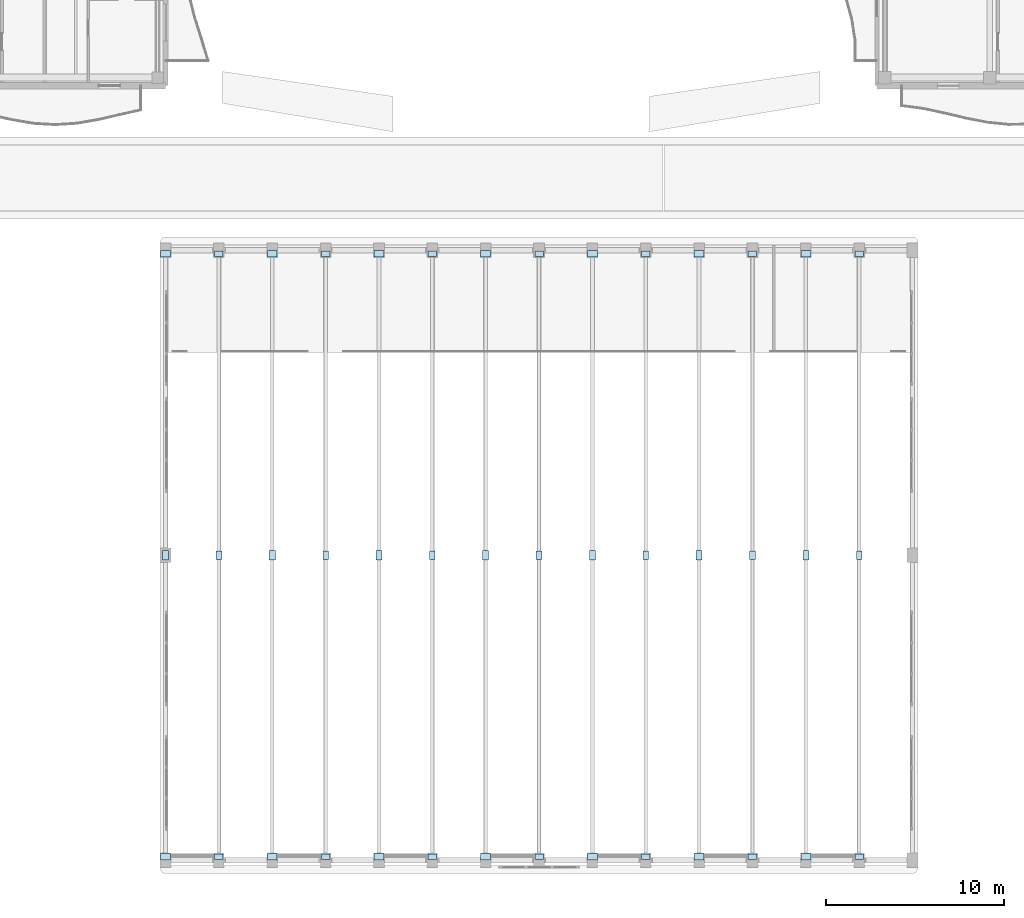
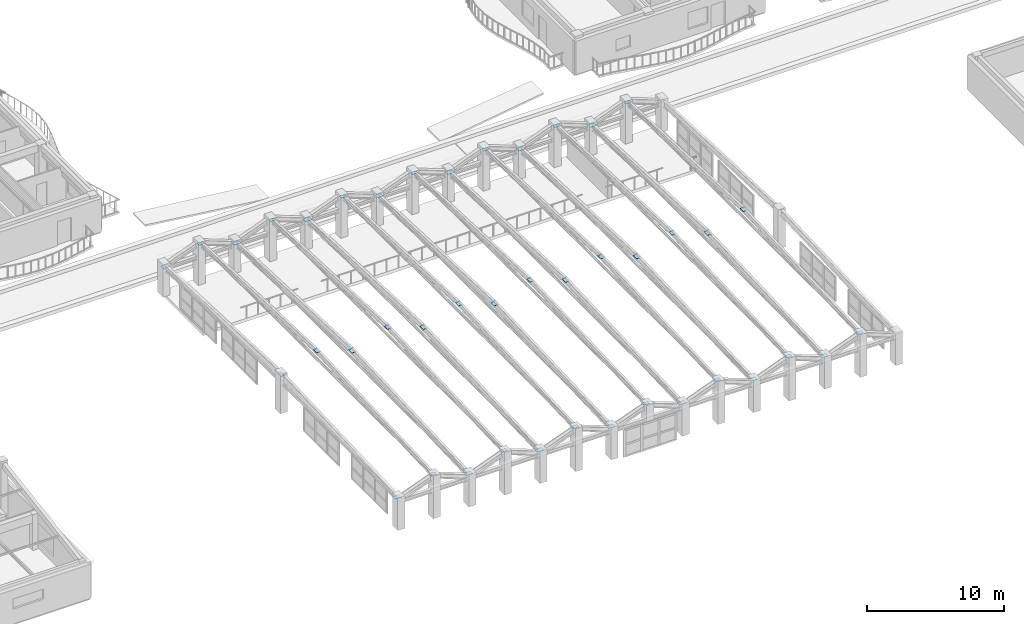
# One storey, part 79 of 128: 42 plates.
"""IFC4 building model written with IfcOpenShell, lengths in metres."""

import ifcopenshell
import ifcopenshell.guid

model = None  # the IFC model being written
_history = None  # IfcOwnerHistory: only IFC2X3 demands one
_inside = {}  # id of a spatial element -> (the spatial element, [elements in it])
_under = {}  # id of a project, library or spatial element -> (it, [spatial elements below it])
_declared = {}  # id of a project -> (the project, [libraries it declares])
_typed = {}  # id of a type object -> (the type object, [elements of that type])
_made_of = {}  # id of a material, layer set ... -> (it, [elements and type objects made of it])


def new_model(schema):
    """Start an empty IFC model of exactly this schema.

    Asked for "IFC4X3", IfcOpenShell would pick the latest addendum, in which some entities
    have other attributes; the version numbers below select the first issue.
    IFC2X3 requires an IfcOwnerHistory on every rooted entity: one is made here for all.
    """
    global model, _history
    if schema == "IFC4X3":
        model = ifcopenshell.file(schema_version=(4, 3, 0, 0))
    else:
        model = ifcopenshell.file(schema=schema)
    _inside.clear()
    _under.clear()
    _declared.clear()
    _typed.clear()
    _made_of.clear()
    _history = None
    if model.schema == "IFC2X3":
        org = make("IfcOrganization", Name="unknown")
        user = make(
            "IfcPersonAndOrganization",
            ThePerson=make("IfcPerson", FamilyName="unknown"),
            TheOrganization=org,
        )
        app = make(
            "IfcApplication",
            ApplicationDeveloper=org,
            Version="unknown",
            ApplicationFullName="unknown",
            ApplicationIdentifier="unknown",
        )
        _history = make(
            "IfcOwnerHistory",
            OwningUser=user,
            OwningApplication=app,
            ChangeAction="ADDED",
            CreationDate=0,
        )
    return model


def make(cls, **values):
    """One entity of the class cls with the attributes given. An attribute that is None is left unset."""
    return model.create_entity(
        cls, **{name: value for name, value in values.items() if value is not None}
    )


def rooted(cls, **values):
    """An entity with a GlobalId (a new one), such as an element, a storey or a relation."""
    return make(cls, GlobalId=ifcopenshell.guid.new(), OwnerHistory=_history, **values)


def si_unit(unit_type, name, prefix=None):
    """IfcSIUnit, for example si_unit("LENGTHUNIT", "METRE", prefix="MILLI")."""
    return make("IfcSIUnit", UnitType=unit_type, Prefix=prefix, Name=name)


def assignment(units):
    """IfcUnitAssignment: the units of a project."""
    return None if units is None else make("IfcUnitAssignment", Units=units)


def point(xyz):
    """IfcCartesianPoint."""
    return None if xyz is None else make("IfcCartesianPoint", Coordinates=xyz)


def direction(xyz):
    """IfcDirection."""
    return None if xyz is None else make("IfcDirection", DirectionRatios=xyz)


def frame(location, z_axis=None, x_axis=None):
    """IfcAxis2Placement3D, a coordinate frame: its origin and axes. An axis left out is left unset."""
    return make(
        "IfcAxis2Placement3D",
        Location=point(location),
        Axis=direction(z_axis),
        RefDirection=direction(x_axis),
    )


def frame_2d(location, x_axis=None):
    """IfcAxis2Placement2D, a coordinate frame in the plane: its origin and x axis."""
    return make(
        "IfcAxis2Placement2D", Location=point(location), RefDirection=direction(x_axis)
    )


def origin():
    """The frame at (0, 0, 0) with its axes left unset."""
    return frame((0.0, 0.0, 0.0))


def origin_2d():
    """The frame at (0, 0) in the plane with its x axis left unset."""
    return frame_2d((0.0, 0.0))


def place(relative_to, where):
    """IfcLocalPlacement: puts the frame where relative to a parent placement (None: the world)."""
    return make(
        "IfcLocalPlacement", PlacementRelTo=relative_to, RelativePlacement=where
    )


def context(
    kind, dimensions, precision=None, world=None, true_north=None, identifier=None
):
    """IfcGeometricRepresentationContext, for example the 3D "Model" context."""
    return make(
        "IfcGeometricRepresentationContext",
        ContextIdentifier=identifier,
        ContextType=kind,
        CoordinateSpaceDimension=dimensions,
        Precision=precision,
        WorldCoordinateSystem=world,
        TrueNorth=true_north,
    )


def subcontext(parent, identifier, kind, view, scale=None):
    """IfcGeometricRepresentationSubContext, for example "Body" below "Model"."""
    return make(
        "IfcGeometricRepresentationSubContext",
        ContextIdentifier=identifier,
        ContextType=kind,
        ParentContext=parent,
        TargetScale=scale,
        TargetView=view,
    )


def project(units=None, contexts=None):
    """IfcProject with its units and contexts."""
    return rooted(
        "IfcProject",
        Name="project",
        RepresentationContexts=contexts,
        UnitsInContext=assignment(units),
    )


def spatial(cls, under=None, at=None, **own):
    """A site, building, storey or space (cls), placed at a placement, below another one or the project."""
    s = rooted(cls, ObjectPlacement=at, **own)
    if under is not None:
        _under.setdefault(under.id(), (under, []))[1].append(s)
    return s


def profile(cls, at=None, kind="AREA", **sizes):
    """A parametric profile (cls). Its sizes go by their IFC names, for example OverallWidth=200.0."""
    return make(cls, ProfileType=kind, Position=at, **sizes)


def rectangle(**sizes):
    """IfcRectangleProfileDef."""
    return profile("IfcRectangleProfileDef", **sizes)


def extrude(swept, where, along, depth):
    """IfcExtrudedAreaSolid: the profile swept, set in the frame where, extruded along a direction by depth."""
    return make(
        "IfcExtrudedAreaSolid",
        SweptArea=swept,
        Position=where,
        ExtrudedDirection=direction(along),
        Depth=depth,
    )


def shape(context_of_items, identifier, shape_type, items):
    """IfcShapeRepresentation: the items that make up one representation, for example the "Body"."""
    return make(
        "IfcShapeRepresentation",
        ContextOfItems=context_of_items,
        RepresentationIdentifier=identifier,
        RepresentationType=shape_type,
        Items=items,
    )


def material(Name=None, Category=None):
    """IfcMaterial."""
    return make("IfcMaterial", Name=Name, Category=Category)


def layer(
    of_material, thickness, ventilated=None, Name=None, Category=None, Priority=None
):
    """IfcMaterialLayer: one layer of a wall or slab, of a material (None: an air gap)."""
    return make(
        "IfcMaterialLayer",
        Material=of_material,
        LayerThickness=thickness,
        IsVentilated=ventilated,
        Name=Name,
        Category=Category,
        Priority=Priority,
    )


def layer_set(layers, Name=None):
    """IfcMaterialLayerSet."""
    return make("IfcMaterialLayerSet", MaterialLayers=layers, LayerSetName=Name)


def made_of(thing, what):
    """Note that an element or type object is made of a material, layer set ...; save() writes the relation."""
    if what is not None:
        _made_of.setdefault(what.id(), (what, []))[1].append(thing)
    return thing


def type_object(cls, material=None, **own):
    """A type object (cls), such as IfcWallType, which elements share."""
    return made_of(rooted(cls, **own), material)


def element(
    cls,
    number,
    at=None,
    inside=None,
    cuts=None,
    type_object=None,
    material=None,
    context=None,
    identifier="Body",
    shape_type=None,
    held_by="IfcProductDefinitionShape",
    body=None,
    shapes=None,
    **own,
):
    """One element of the class cls, such as IfcWall. Its Tag is "e" and its number.

    at: its placement. inside: the storey or other place that contains it. cuts: it is an
    opening in that element (IfcRelVoidsElement). A single representation is given by context,
    identifier, shape_type and body (its items); several are given by shapes. held_by: the class
    of the entity that holds the representations. save() writes the other relations.
    """
    e = rooted(cls, Tag="e%d" % number, ObjectPlacement=at, **own)
    if body is not None:
        shapes = [shape(context, identifier, shape_type, body)]
    if shapes is not None:
        e.Representation = make(held_by, Representations=shapes)
    if inside is not None:
        _inside.setdefault(inside.id(), (inside, []))[1].append(e)
    if cuts is not None:
        rooted(
            "IfcRelVoidsElement", RelatingBuildingElement=cuts, RelatedOpeningElement=e
        )
    if type_object is not None:
        _typed.setdefault(type_object.id(), (type_object, []))[1].append(e)
    return made_of(e, material)


def aggregate(whole, parts):
    """IfcRelAggregates: a whole, such as a stair, and the parts it consists of."""
    return rooted("IfcRelAggregates", RelatingObject=whole, RelatedObjects=parts)


def save(model, path):
    """Write the relations noted so far, then the file.

    IfcRelAggregates (storeys below a building ...), IfcRelContainedInSpatialStructure (elements
    in a storey), IfcRelDefinesByType, IfcRelAssociatesMaterial and IfcRelDeclares: one each for
    every whole, place, type object, material and project.
    """
    for whole, parts in _under.values():
        aggregate(whole, parts)
    for where, things in _inside.values():
        rooted(
            "IfcRelContainedInSpatialStructure",
            RelatedElements=things,
            RelatingStructure=where,
        )
    for kind, things in _typed.values():
        rooted("IfcRelDefinesByType", RelatedObjects=things, RelatingType=kind)
    for what, things in _made_of.values():
        rooted("IfcRelAssociatesMaterial", RelatedObjects=things, RelatingMaterial=what)
    for by, libraries in _declared.values():
        rooted("IfcRelDeclares", RelatingContext=by, RelatedDefinitions=libraries)
    model.write(path)


model = new_model("IFC4")

# Units and contexts
model_context = context("Model", 3, precision=1e-05, world=origin(), true_north=direction((0.0, 1.0)))
body_context = subcontext(model_context, "Body", "Model", "MODEL_VIEW")
ifc_project = project(units=[si_unit("LENGTHUNIT", "METRE"), si_unit("AREAUNIT", "SQUARE_METRE"), si_unit("VOLUMEUNIT", "CUBIC_METRE"), si_unit("PLANEANGLEUNIT", "RADIAN"), si_unit("MASSUNIT", "GRAM", prefix="KILO")], contexts=[model_context])

# Site, building, storey
site_placement = place(None, origin())
site = spatial("IfcSite", under=ifc_project, at=site_placement, CompositionType="ELEMENT")
building_placement = place(site_placement, origin())
building = spatial("IfcBuilding", under=site, at=building_placement, Name="Keldmere Railside Commons", CompositionType="ELEMENT")
storey_placement = place(building_placement, frame((0.0, 0.0, 4.159912109375)))
storey = spatial("IfcBuildingStorey", under=building, at=storey_placement, Name="L01", CompositionType="ELEMENT", Elevation=4.159912109375)

# Plates
ifc_material = material(Name="Steel F-36 (S355)", Category="steel")
ifc_layer_1 = layer(ifc_material, 0.02392578125, Name="Folded-Plate Ridge Gusset Node Plate 480x320x24")
ifc_layer_set_1 = layer_set([ifc_layer_1], Name="Steel F-36 (S355)")
plate_type_1 = type_object("IfcPlateType", Name="Folded-Plate Ridge Gusset Node Plate 480x320x24", PredefinedType="USERDEFINED", material=ifc_layer_set_1)
for number, where, z_axis, x_axis, name in (
    (1, (67.0, 29.60009765625, 4.22802734375), (0.0, 0.0, 1.0), (0.0, 1.0, 0.0), "NP-1 Ridge Gusset 1"),
    (2, (67.0, 12.64990234375, 3.528076171875), (0.0, 0.0, 1.0), (1.0, 0.0, 0.0), "NP-1 Ridge Eave Gusset S 1"),
    (3, (67.0, 46.550048828125, 3.528076171875), (0.0, 0.0, 1.0), (1.0, 0.0, 0.0), "NP-1 Ridge Eave Gusset N 1"),
    (4, (73.0, 29.60009765625, 4.22802734375), (0.0, 0.0, 1.0), (0.0, 1.0, 0.0), "NP-1 Ridge Gusset 2"),
    (5, (73.0, 12.64990234375, 3.528076171875), (0.0, 0.0, 1.0), (1.0, 0.0, 0.0), "NP-1 Ridge Eave Gusset S 2"),
    (6, (73.0, 46.550048828125, 3.528076171875), (0.0, 0.0, 1.0), (1.0, 0.0, 0.0), "NP-1 Ridge Eave Gusset N 2"),
    (7, (79.0, 29.60009765625, 4.22802734375), (0.0, 0.0, 1.0), (0.0, 1.0, 0.0), "NP-1 Ridge Gusset 3"),
    (8, (79.0, 12.64990234375, 3.528076171875), (0.0, 0.0, 1.0), (1.0, 0.0, 0.0), "NP-1 Ridge Eave Gusset S 3"),
    (9, (79.0, 46.550048828125, 3.528076171875), (0.0, 0.0, 1.0), (1.0, 0.0, 0.0), "NP-1 Ridge Eave Gusset N 3"),
    (10, (85.0, 29.60009765625, 4.22802734375), (0.0, 0.0, 1.0), (0.0, 1.0, 0.0), "NP-1 Ridge Gusset 4"),
    (11, (85.0, 12.64990234375, 3.528076171875), (0.0, 0.0, 1.0), (1.0, 0.0, 0.0), "NP-1 Ridge Eave Gusset S 4"),
    (12, (85.0, 46.550048828125, 3.528076171875), (0.0, 0.0, 1.0), (1.0, 0.0, 0.0), "NP-1 Ridge Eave Gusset N 4"),
    (13, (91.0, 29.60009765625, 4.22802734375), (0.0, 0.0, 1.0), (0.0, 1.0, 0.0), "NP-1 Ridge Gusset 5"),
    (14, (91.0, 12.64990234375, 3.528076171875), (0.0, 0.0, 1.0), (1.0, 0.0, 0.0), "NP-1 Ridge Eave Gusset S 5"),
    (15, (91.0, 46.550048828125, 3.528076171875), (0.0, 0.0, 1.0), (1.0, 0.0, 0.0), "NP-1 Ridge Eave Gusset N 5"),
    (16, (97.0, 29.60009765625, 4.22802734375), (0.0, 0.0, 1.0), (0.0, 1.0, 0.0), "NP-1 Ridge Gusset 6"),
    (17, (97.0, 12.64990234375, 3.528076171875), (0.0, 0.0, 1.0), (1.0, 0.0, 0.0), "NP-1 Ridge Eave Gusset S 6"),
    (18, (97.0, 46.550048828125, 3.528076171875), (0.0, 0.0, 1.0), (1.0, 0.0, 0.0), "NP-1 Ridge Eave Gusset N 6"),
    (19, (103.0, 29.60009765625, 4.22802734375), (0.0, 0.0, 1.0), (0.0, 1.0, 0.0), "NP-1 Ridge Gusset 7"),
    (20, (103.0, 12.64990234375, 3.528076171875), (0.0, 0.0, 1.0), (1.0, 0.0, 0.0), "NP-1 Ridge Eave Gusset S 7"),
    (21, (103.0, 46.550048828125, 3.528076171875), (0.0, 0.0, 1.0), (1.0, 0.0, 0.0), "NP-1 Ridge Eave Gusset N 7"),
):
    element("IfcPlate", number, at=place(storey_placement, frame(where, z_axis=z_axis, x_axis=x_axis)), inside=storey, type_object=plate_type_1, Name=name, ObjectType="GUSSET_PLATE", PredefinedType="USERDEFINED", context=body_context, shape_type="SweptSolid", body=[
        extrude(rectangle(XDim=0.47998046875, YDim=0.320068359375, at=origin_2d()), origin(), (0.0, 0.0, 1.0), 0.02392578125),
    ])
ifc_layer_2 = layer(ifc_material, 0.028076171875, Name="Folded-Plate Springing Bearing Plate 560x380x28")
ifc_layer_set_2 = layer_set([ifc_layer_2], Name="Steel F-36 (S355)")
plate_type_2 = type_object("IfcPlateType", Name="Folded-Plate Springing Bearing Plate 560x380x28", PredefinedType="USERDEFINED", material=ifc_layer_set_2)
for number, where, z_axis, x_axis, name in (
    (22, (64.0, 12.64990234375, 2.51611328125), (0.0, 0.0, 1.0), (1.0, 0.0, 0.0), "NP-3 Springing Plate S 1"),
    (23, (64.0, 46.550048828125, 2.51611328125), (0.0, 0.0, 1.0), (1.0, 0.0, 0.0), "NP-3 Springing Plate N 1"),
    (24, (70.0, 12.64990234375, 2.51611328125), (0.0, 0.0, 1.0), (1.0, 0.0, 0.0), "NP-3 Springing Plate S 2"),
    (25, (70.0, 46.550048828125, 2.51611328125), (0.0, 0.0, 1.0), (1.0, 0.0, 0.0), "NP-3 Springing Plate N 2"),
    (26, (76.0, 12.64990234375, 2.51611328125), (0.0, 0.0, 1.0), (1.0, 0.0, 0.0), "NP-3 Springing Plate S 3"),
    (27, (76.0, 46.550048828125, 2.51611328125), (0.0, 0.0, 1.0), (1.0, 0.0, 0.0), "NP-3 Springing Plate N 3"),
    (28, (82.0, 12.64990234375, 2.51611328125), (0.0, 0.0, 1.0), (1.0, 0.0, 0.0), "NP-3 Springing Plate S 4"),
    (29, (82.0, 46.550048828125, 2.51611328125), (0.0, 0.0, 1.0), (1.0, 0.0, 0.0), "NP-3 Springing Plate N 4"),
    (30, (88.0, 12.64990234375, 2.51611328125), (0.0, 0.0, 1.0), (1.0, 0.0, 0.0), "NP-3 Springing Plate S 5"),
    (31, (88.0, 46.550048828125, 2.51611328125), (0.0, 0.0, 1.0), (1.0, 0.0, 0.0), "NP-3 Springing Plate N 5"),
    (32, (94.0, 12.64990234375, 2.51611328125), (0.0, 0.0, 1.0), (1.0, 0.0, 0.0), "NP-3 Springing Plate S 6"),
    (33, (94.0, 46.550048828125, 2.51611328125), (0.0, 0.0, 1.0), (1.0, 0.0, 0.0), "NP-3 Springing Plate N 6"),
    (34, (100.0, 12.64990234375, 2.51611328125), (0.0, 0.0, 1.0), (1.0, 0.0, 0.0), "NP-3 Springing Plate S 7"),
    (35, (100.0, 46.550048828125, 2.51611328125), (0.0, 0.0, 1.0), (1.0, 0.0, 0.0), "NP-3 Springing Plate N 7"),
):
    element("IfcPlate", number, at=place(storey_placement, frame(where, z_axis=z_axis, x_axis=x_axis)), inside=storey, type_object=plate_type_2, Name=name, ObjectType="GUSSET_PLATE", PredefinedType="USERDEFINED", context=body_context, shape_type="SweptSolid", body=[
        extrude(rectangle(XDim=0.56005859375, YDim=0.3798828125, at=origin_2d()), origin(), (0.0, 0.0, 1.0), 0.028076171875),
    ])
ifc_layer_3 = layer(ifc_material, 0.02587890625, Name="Folded-Plate Valley Gusset Node Plate 520x340x26")
ifc_layer_set_3 = layer_set([ifc_layer_3], Name="Steel F-36 (S355)")
plate_type_3 = type_object("IfcPlateType", Name="Folded-Plate Valley Gusset Node Plate 520x340x26", PredefinedType="USERDEFINED", material=ifc_layer_set_3)
for number, where, z_axis, x_axis, name in (
    (36, (64.0, 29.60009765625, 3.17724609375), (0.0, 0.0, 1.0), (0.0, 1.0, 0.0), "NP-2 Valley Gusset 1"),
    (37, (70.0, 29.60009765625, 3.17724609375), (0.0, 0.0, 1.0), (0.0, 1.0, 0.0), "NP-2 Valley Gusset 2"),
    (38, (76.0, 29.60009765625, 3.17724609375), (0.0, 0.0, 1.0), (0.0, 1.0, 0.0), "NP-2 Valley Gusset 3"),
    (39, (82.0, 29.60009765625, 3.17724609375), (0.0, 0.0, 1.0), (0.0, 1.0, 0.0), "NP-2 Valley Gusset 4"),
    (40, (88.0, 29.60009765625, 3.17724609375), (0.0, 0.0, 1.0), (0.0, 1.0, 0.0), "NP-2 Valley Gusset 5"),
    (41, (94.0, 29.60009765625, 3.17724609375), (0.0, 0.0, 1.0), (0.0, 1.0, 0.0), "NP-2 Valley Gusset 6"),
    (42, (100.0, 29.60009765625, 3.17724609375), (0.0, 0.0, 1.0), (0.0, 1.0, 0.0), "NP-2 Valley Gusset 7"),
):
    element("IfcPlate", number, at=place(storey_placement, frame(where, z_axis=z_axis, x_axis=x_axis)), inside=storey, type_object=plate_type_3, Name=name, ObjectType="GUSSET_PLATE", PredefinedType="USERDEFINED", context=body_context, shape_type="SweptSolid", body=[
        extrude(rectangle(XDim=0.52001953125, YDim=0.340087890625, at=origin_2d()), origin(), (0.0, 0.0, 1.0), 0.02587890625),
    ])

save(model, "model.ifc")
